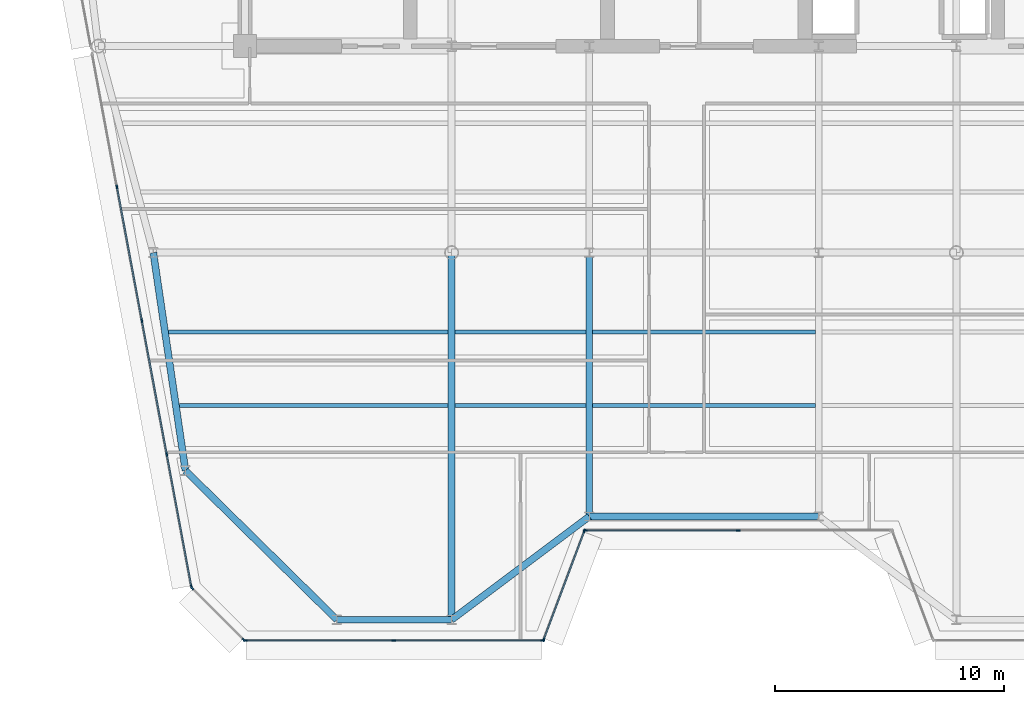
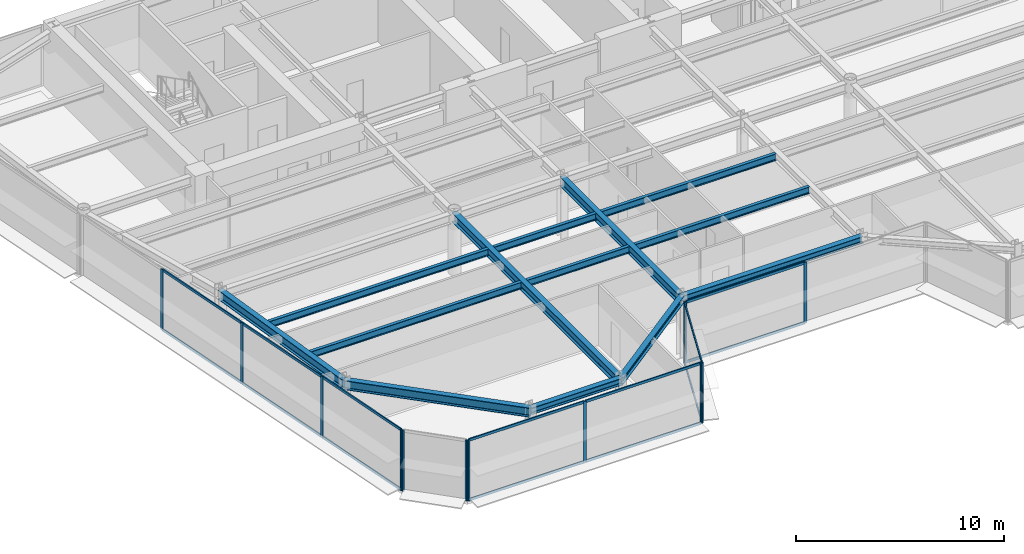
# One storey, part 3 of 18: 27 members, 13 beams, 5 elements without a shape of their own.
"""IFC4 building model written with IfcOpenShell, lengths in metres."""

from ifc_helpers import new_model, si_unit, direction, frame, origin, origin_2d, place, context, subcontext, project, spatial, rectangle, i_section, extrude, source, transform, mapped, material, layer, layer_set, material_profile, profile_set, type_object, element, aggregate, save


model = new_model("IFC4")

# Units and contexts
model_context = context("Model", 3, precision=1e-05, world=origin(), true_north=direction((0.0, 1.0)))
body_context = subcontext(model_context, "Body", "Model", "MODEL_VIEW")
ifc_project = project(units=[si_unit("LENGTHUNIT", "METRE"), si_unit("AREAUNIT", "SQUARE_METRE"), si_unit("VOLUMEUNIT", "CUBIC_METRE"), si_unit("PLANEANGLEUNIT", "RADIAN"), si_unit("MASSUNIT", "GRAM", prefix="KILO")], contexts=[model_context])

# Site, building, storey
site_placement = place(None, origin())
site = spatial("IfcSite", under=ifc_project, at=site_placement, CompositionType="ELEMENT")
building_placement = place(site_placement, origin())
building = spatial("IfcBuilding", under=site, at=building_placement, Name="Vaeldorn Concourse Tower", CompositionType="ELEMENT")
storey_placement = place(building_placement, frame((0.0, 0.0, 242.199951171875)))
storey = spatial("IfcBuildingStorey", under=building, at=storey_placement, Name="L62", CompositionType="ELEMENT", Elevation=242.199951171875)

# Beams
ifc_material_1 = material(Name="Steel S355", Category="steel")
ifc_material_profile_1 = material_profile(ifc_material_1, i_section(OverallWidth=0.300048828125, OverallDepth=0.39990234375, WebThickness=0.013427734375, FlangeThickness=0.02392578125, FilletRadius=0.027099609375, at=origin_2d()), Name="HEB 400")
ifc_profile_set_1 = profile_set([ifc_material_profile_1], Name="Steel S355")
beam_type_1 = type_object("IfcBeamType", Name="BM-SP-HEB400", PredefinedType="SPANDREL", material=ifc_profile_set_1)
shared_shape_1 = source(origin(), body_context, "Body", "SweptSolid", [
    extrude(i_section(OverallWidth=0.300048828125, OverallDepth=0.39990234375, WebThickness=0.013427734375, FlangeThickness=0.02392578125, FilletRadius=0.027099609375, at=origin_2d()), origin(), (0.0, 0.0, 1.0), 5.0),
])
beam_1_placement = place(storey_placement, frame((18.0, 11.5, 3.380126953125), z_axis=(1.0, 0.0, 0.0), x_axis=(0.0, 1.0, 0.0)))
element("IfcBeam", 1, at=beam_1_placement, inside=storey, type_object=beam_type_1, Name="Beam BM-L62-C-SF1-C-SF2", PredefinedType="SPANDREL", context=body_context, shape_type="MappedRepresentation", body=[
    mapped(shared_shape_1, transform((0.0, 0.0, 0.0), scale=1.0)),
])
shared_shape_2 = source(origin(), body_context, "Body", "SweptSolid", [
    extrude(i_section(OverallWidth=0.300048828125, OverallDepth=0.39990234375, WebThickness=0.013427734375, FlangeThickness=0.02392578125, FilletRadius=0.027099609375, at=origin_2d()), origin(), (0.0, 0.0, 1.0), 7.5),
])
beam_2_placement = place(storey_placement, frame((23.0, 11.5, 3.380126953125), z_axis=(0.8, 0.6, 0.0), x_axis=(-0.6, 0.8, 0.0)))
element("IfcBeam", 2, at=beam_2_placement, inside=storey, type_object=beam_type_1, Name="Beam BM-L62-C-SF2-C-SF3", PredefinedType="SPANDREL", context=body_context, shape_type="MappedRepresentation", body=[
    mapped(shared_shape_2, transform((0.0, 0.0, 0.0), scale=1.0)),
])
shared_shape_3 = source(origin(), body_context, "Body", "SweptSolid", [
    extrude(i_section(OverallWidth=0.300048828125, OverallDepth=0.39990234375, WebThickness=0.013427734375, FlangeThickness=0.02392578125, FilletRadius=0.027099609375, at=origin_2d()), origin(), (0.0, 0.0, 1.0), 10.0),
])
beam_3_placement = place(storey_placement, frame((29.0, 16.0, 3.380126953125), z_axis=(1.0, 0.0, 0.0), x_axis=(0.0, 1.0, 0.0)))
element("IfcBeam", 3, at=beam_3_placement, inside=storey, type_object=beam_type_1, Name="Beam BM-L62-C-SF3-C-SF4", PredefinedType="SPANDREL", context=body_context, shape_type="MappedRepresentation", body=[
    mapped(shared_shape_3, transform((0.0, 0.0, 0.0), scale=1.0)),
])
ifc_material_profile_2 = material_profile(ifc_material_1, i_section(OverallWidth=0.179931640625, OverallDepth=0.39990234375, WebThickness=0.008544921875, FlangeThickness=0.013427734375, FilletRadius=0.02099609375, at=origin_2d()), Name="IPE 400")
ifc_profile_set_2 = profile_set([ifc_material_profile_2], Name="Steel S355")
beam_type_2 = type_object("IfcBeamType", Name="BM-JS-IPE400", PredefinedType="JOIST", material=ifc_profile_set_2)
shared_shape_4 = source(origin(), body_context, "Body", "SweptSolid", [
    extrude(i_section(OverallWidth=0.179931640625, OverallDepth=0.39990234375, WebThickness=0.008544921875, FlangeThickness=0.013427734375, FilletRadius=0.02099609375, at=origin_2d()), origin(), (0.0, 0.0, 1.0), 5.7001953125),
])
for number, where, z_axis, x_axis, name in (
    (4, (23.14990234375, 20.840087890625, 3.380126953125), (1.0, 0.0, 0.0), (0.0, 1.0, 0.0), "Beam JS-L62-W2-208"),
    (5, (23.14990234375, 24.0400390625, 3.380126953125), (1.0, 0.0, 0.0), (0.0, 1.0, 0.0), "Beam JS-L62-W2-240"),
):
    element("IfcBeam", number, at=place(storey_placement, frame(where, z_axis=z_axis, x_axis=x_axis)), inside=storey, type_object=beam_type_2, Name=name, PredefinedType="JOIST", context=body_context, shape_type="MappedRepresentation", body=[
        mapped(shared_shape_4, transform((0.0, 0.0, 0.0), scale=1.0)),
    ])
shared_shape_5 = source(origin(), body_context, "Body", "SweptSolid", [
    extrude(i_section(OverallWidth=0.179931640625, OverallDepth=0.39990234375, WebThickness=0.008544921875, FlangeThickness=0.013427734375, FilletRadius=0.02099609375, at=origin_2d()), origin(), (0.0, 0.0, 1.0), 9.7001953125),
])
for number, where, z_axis, x_axis, name in (
    (6, (29.14990234375, 20.840087890625, 3.380126953125), (1.0, 0.0, 0.0), (0.0, 1.0, 0.0), "Beam JS-L62-C-208"),
    (7, (29.14990234375, 24.0400390625, 3.380126953125), (1.0, 0.0, 0.0), (0.0, 1.0, 0.0), "Beam JS-L62-C-240"),
):
    element("IfcBeam", number, at=place(storey_placement, frame(where, z_axis=z_axis, x_axis=x_axis)), inside=storey, type_object=beam_type_2, Name=name, PredefinedType="JOIST", context=body_context, shape_type="MappedRepresentation", body=[
        mapped(shared_shape_5, transform((0.0, 0.0, 0.0), scale=1.0)),
    ])
shared_shape_6 = source(origin(), body_context, "Body", "SweptSolid", [
    extrude(i_section(OverallWidth=0.179931640625, OverallDepth=0.39990234375, WebThickness=0.008544921875, FlangeThickness=0.013427734375, FilletRadius=0.02099609375, at=origin_2d()), origin(), (0.0, 0.0, 1.0), 11.718505859375),
])
beam_4_placement = place(storey_placement, frame((11.131591796875, 20.840087890625, 3.380126953125), z_axis=(1.0, 0.0, 0.0), x_axis=(0.0, 1.0, 0.0)))
element("IfcBeam", 8, at=beam_4_placement, inside=storey, type_object=beam_type_2, Name="Beam JS-L62-W1-208", PredefinedType="JOIST", context=body_context, shape_type="MappedRepresentation", body=[
    mapped(shared_shape_6, transform((0.0, 0.0, 0.0), scale=1.0)),
])
shared_shape_7 = source(origin(), body_context, "Body", "SweptSolid", [
    extrude(i_section(OverallWidth=0.179931640625, OverallDepth=0.39990234375, WebThickness=0.008544921875, FlangeThickness=0.013427734375, FilletRadius=0.02099609375, at=origin_2d()), origin(), (0.0, 0.0, 1.0), 12.190185546875),
])
beam_5_placement = place(storey_placement, frame((10.659912109375, 24.0400390625, 3.380126953125), z_axis=(1.0, 0.0, 0.0), x_axis=(0.0, 1.0, 0.0)))
element("IfcBeam", 9, at=beam_5_placement, inside=storey, type_object=beam_type_2, Name="Beam JS-L62-W1-240", PredefinedType="JOIST", context=body_context, shape_type="MappedRepresentation", body=[
    mapped(shared_shape_7, transform((0.0, 0.0, 0.0), scale=1.0)),
])
ifc_material_profile_3 = material_profile(ifc_material_1, i_section(OverallWidth=0.300048828125, OverallDepth=0.550048828125, WebThickness=0.014892578125, FlangeThickness=0.029052734375, FilletRadius=0.027099609375, at=origin_2d()), Name="HEB 550")
ifc_profile_set_3 = profile_set([ifc_material_profile_3], Name="Steel S355")
beam_type_3 = type_object("IfcBeamType", Name="BM-PG-HEB550", PredefinedType="BEAM", material=ifc_profile_set_3)
shared_shape_8 = source(origin(), body_context, "Body", "SweptSolid", [
    extrude(i_section(OverallWidth=0.300048828125, OverallDepth=0.550048828125, WebThickness=0.014892578125, FlangeThickness=0.029052734375, FilletRadius=0.027099609375, at=origin_2d()), origin(), (0.0, 0.0, 1.0), 9.6025390625),
])
beam_6_placement = place(storey_placement, frame((10.0, 27.5, 3.304931640625), z_axis=(0.145783835977, -0.989316467652, 0.0), x_axis=(0.989316467652, 0.145783835977, 0.0)))
element("IfcBeam", 10, at=beam_6_placement, inside=storey, type_object=beam_type_3, Name="Beam BM-L62-C-FLW1-C-FLW2", PredefinedType="BEAM", context=body_context, shape_type="MappedRepresentation", body=[
    mapped(shared_shape_8, transform((0.0, 0.0, 0.0), scale=1.0)),
])
shared_shape_9 = source(origin(), body_context, "Body", "SweptSolid", [
    extrude(i_section(OverallWidth=0.300048828125, OverallDepth=0.550048828125, WebThickness=0.014892578125, FlangeThickness=0.029052734375, FilletRadius=0.027099609375, at=origin_2d()), origin(), (0.0, 0.0, 1.0), 9.263427734375),
])
beam_7_placement = place(storey_placement, frame((18.0, 11.5, 3.304931640625), z_axis=(-0.71248897494, 0.701683305053, 0.0), x_axis=(-0.701683305053, -0.71248897494, 0.0)))
element("IfcBeam", 11, at=beam_7_placement, inside=storey, type_object=beam_type_3, Name="Beam BM-L62-C-SF1-C-FLW2", PredefinedType="BEAM", context=body_context, shape_type="MappedRepresentation", body=[
    mapped(shared_shape_9, transform((0.0, 0.0, 0.0), scale=1.0)),
])
shared_shape_10 = source(origin(), body_context, "Body", "SweptSolid", [
    extrude(i_section(OverallWidth=0.300048828125, OverallDepth=0.550048828125, WebThickness=0.014892578125, FlangeThickness=0.029052734375, FilletRadius=0.027099609375, at=origin_2d()), origin(), (0.0, 0.0, 1.0), 16.0),
])
beam_8_placement = place(storey_placement, frame((23.0, 11.5, 3.304931640625), z_axis=(0.0, 1.0, 0.0), x_axis=(-1.0, 0.0, 0.0)))
element("IfcBeam", 12, at=beam_8_placement, inside=storey, type_object=beam_type_3, Name="Beam BM-L62-C-SF2-C-TW1", PredefinedType="BEAM", context=body_context, shape_type="MappedRepresentation", body=[
    mapped(shared_shape_10, transform((0.0, 0.0, 0.0), scale=1.0)),
])
shared_shape_11 = source(origin(), body_context, "Body", "SweptSolid", [
    extrude(i_section(OverallWidth=0.300048828125, OverallDepth=0.550048828125, WebThickness=0.014892578125, FlangeThickness=0.029052734375, FilletRadius=0.027099609375, at=origin_2d()), origin(), (0.0, 0.0, 1.0), 11.5),
])
beam_9_placement = place(storey_placement, frame((29.0, 16.0, 3.304931640625), z_axis=(0.0, 1.0, 0.0), x_axis=(-1.0, 0.0, 0.0)))
element("IfcBeam", 13, at=beam_9_placement, inside=storey, type_object=beam_type_3, Name="Beam BM-L62-C-SF3-C-TW2", PredefinedType="BEAM", context=body_context, shape_type="MappedRepresentation", body=[
    mapped(shared_shape_11, transform((0.0, 0.0, 0.0), scale=1.0)),
])

# Curtain wall, members
ifc_material_2 = material(Name="Anodised Bronze Aluminium", Category="aluminium")
ifc_layer = layer(ifc_material_2, 0.179931640625)
ifc_layer_set = layer_set([ifc_layer], Name="Anodised Bronze Aluminium")
curtain_wall_type = type_object("IfcCurtainWallType", Name="CW-SYS-05", PredefinedType="NOTDEFINED", material=ifc_layer_set)
curtain_wall_1_placement = place(storey_placement, origin())
curtain_wall_1 = element("IfcCurtainWall", 14, at=curtain_wall_1_placement, inside=storey, type_object=curtain_wall_type, Name="Unitised Curtain Wall CW-L62-E02-1", PredefinedType="NOTDEFINED")
ifc_material_profile_4 = material_profile(ifc_material_2, rectangle(XDim=0.06494140625, YDim=0.14990234375, at=origin_2d()), Name="CWT 65x150")
ifc_profile_set_4 = profile_set([ifc_material_profile_4], Name="Anodised Bronze Aluminium")
member_type_1 = type_object("IfcMemberType", Name="CWT-BRONZE-150", PredefinedType="USERDEFINED", material=ifc_profile_set_4)
shared_shape_12 = source(origin(), body_context, "Body", "SweptSolid", [
    extrude(rectangle(XDim=0.06494140625, YDim=0.14990234375, at=origin_2d()), origin(), (0.0, 0.0, 1.0), 4.996337890625),
])
member_1_placement = place(storey_placement, frame((27.022705078125, 10.660888671875, 0.032470703125), z_axis=(0.351134151405, 0.936325161318, 0.0), x_axis=(-0.936325161318, 0.351134151405, 0.0)))
member_1 = element("IfcMember", 15, at=member_1_placement, type_object=member_type_1, Name="CW-05 transom 1.1", ObjectType="TRANSOM", PredefinedType="USERDEFINED", context=body_context, shape_type="MappedRepresentation", body=[
    mapped(shared_shape_12, transform((0.0, 0.0, 0.0), scale=1.0)),
])
member_2_placement = place(storey_placement, frame((27.022705078125, 10.660888671875, 3.547607421875), z_axis=(0.351134151405, 0.936325161318, 0.0), x_axis=(-0.936325161318, 0.351134151405, 0.0)))
member_2 = element("IfcMember", 16, at=member_2_placement, type_object=member_type_1, Name="CW-05 transom 1.2", ObjectType="TRANSOM", PredefinedType="USERDEFINED", context=body_context, shape_type="MappedRepresentation", body=[
    mapped(shared_shape_12, transform((0.0, 0.0, 0.0), scale=1.0)),
])

curtain_wall_2_placement = place(storey_placement, origin())
curtain_wall_2 = element("IfcCurtainWall", 17, at=curtain_wall_2_placement, inside=storey, type_object=curtain_wall_type, Name="Unitised Curtain Wall CW-L62-E03-1", PredefinedType="NOTDEFINED")
shared_shape_13 = source(origin(), body_context, "Body", "SweptSolid", [
    extrude(rectangle(XDim=0.06494140625, YDim=0.14990234375, at=origin_2d()), origin(), (0.0, 0.0, 1.0), 6.6025390625),
])
member_3_placement = place(storey_placement, frame((28.864990234375, 15.39990234375, 0.032470703125), z_axis=(1.0, 0.0, 0.0), x_axis=(0.0, 1.0, 0.0)))
member_3 = element("IfcMember", 18, at=member_3_placement, type_object=member_type_1, Name="CW-05 transom 1.1", ObjectType="TRANSOM", PredefinedType="USERDEFINED", context=body_context, shape_type="MappedRepresentation", body=[
    mapped(shared_shape_13, transform((0.0, 0.0, 0.0), scale=1.0)),
])
member_4_placement = place(storey_placement, frame((28.864990234375, 15.39990234375, 3.547607421875), z_axis=(1.0, 0.0, 0.0), x_axis=(0.0, 1.0, 0.0)))
member_4 = element("IfcMember", 19, at=member_4_placement, type_object=member_type_1, Name="CW-05 transom 1.2", ObjectType="TRANSOM", PredefinedType="USERDEFINED", context=body_context, shape_type="MappedRepresentation", body=[
    mapped(shared_shape_13, transform((0.0, 0.0, 0.0), scale=1.0)),
])

curtain_wall_3_placement = place(storey_placement, origin())
curtain_wall_3 = element("IfcCurtainWall", 20, at=curtain_wall_3_placement, inside=storey, type_object=curtain_wall_type, Name="Unitised Curtain Wall CW-L62-E01-1", PredefinedType="NOTDEFINED")
ifc_material_profile_5 = material_profile(ifc_material_2, rectangle(XDim=0.06494140625, YDim=0.169921875, at=origin_2d()), Name="CWM 65x170")
ifc_profile_set_5 = profile_set([ifc_material_profile_5], Name="Anodised Bronze Aluminium")
member_type_2 = type_object("IfcMemberType", Name="CWM-BRONZE-170", PredefinedType="MULLION", material=ifc_profile_set_5)
shared_shape_14 = source(origin(), body_context, "Body", "SweptSolid", [
    extrude(rectangle(XDim=0.06494140625, YDim=0.169921875, at=origin_2d()), origin(), (0.0, 0.0, 1.0), 3.580078125),
])
member_5_placement = place(storey_placement, frame((13.99853515625, 10.60009765625, 0.0), z_axis=(0.0, 0.0, 1.0), x_axis=(0.0, 1.0, 0.0)))
member_5 = element("IfcMember", 21, at=member_5_placement, type_object=member_type_2, Name="CW-05 mullion 1", PredefinedType="MULLION", context=body_context, shape_type="MappedRepresentation", body=[
    mapped(shared_shape_14, transform((0.0, 0.0, 0.0), scale=1.0)),
])
member_6_placement = place(storey_placement, frame((20.48291015625, 10.60009765625, 0.0), z_axis=(0.0, 0.0, 1.0), x_axis=(0.0, 1.0, 0.0)))
member_6 = element("IfcMember", 22, at=member_6_placement, type_object=member_type_2, Name="CW-05 mullion 2", PredefinedType="MULLION", context=body_context, shape_type="MappedRepresentation", body=[
    mapped(shared_shape_14, transform((0.0, 0.0, 0.0), scale=1.0)),
])
member_7_placement = place(storey_placement, frame((26.967529296875, 10.60009765625, 0.0), z_axis=(0.0, 0.0, 1.0), x_axis=(0.0, 1.0, 0.0)))
member_7 = element("IfcMember", 23, at=member_7_placement, type_object=member_type_2, Name="CW-05 mullion 3", PredefinedType="MULLION", context=body_context, shape_type="MappedRepresentation", body=[
    mapped(shared_shape_14, transform((0.0, 0.0, 0.0), scale=1.0)),
])

# Member
member_8_placement = place(storey_placement, frame((27.011474609375, 10.63037109375, 0.0), z_axis=(0.0, 0.0, 1.0), x_axis=(-0.936329177566, 0.351123441595, 0.0)))
member_8 = element("IfcMember", 24, at=member_8_placement, type_object=member_type_2, Name="CW-05 mullion 1", PredefinedType="MULLION", context=body_context, shape_type="MappedRepresentation", body=[
    mapped(shared_shape_14, transform((0.0, 0.0, 0.0), scale=1.0)),
])

member_9_placement = place(storey_placement, frame((28.78857421875, 15.36962890625, 0.0), z_axis=(0.0, 0.0, 1.0), x_axis=(-0.936329177566, 0.351123441595, 0.0)))
member_9 = element("IfcMember", 25, at=member_9_placement, type_object=member_type_2, Name="CW-05 mullion 2", PredefinedType="MULLION", context=body_context, shape_type="MappedRepresentation", body=[
    mapped(shared_shape_14, transform((0.0, 0.0, 0.0), scale=1.0)),
])

aggregate(curtain_wall_1, [member_8, member_9, member_1, member_2])

member_10_placement = place(storey_placement, frame((28.83251953125, 15.39990234375, 0.0), z_axis=(0.0, 0.0, 1.0), x_axis=(0.0, 1.0, 0.0)))
member_10 = element("IfcMember", 26, at=member_10_placement, type_object=member_type_2, Name="CW-05 mullion 1", PredefinedType="MULLION", context=body_context, shape_type="MappedRepresentation", body=[
    mapped(shared_shape_14, transform((0.0, 0.0, 0.0), scale=1.0)),
])

member_11_placement = place(storey_placement, frame((35.5, 15.39990234375, 0.0), z_axis=(0.0, 0.0, 1.0), x_axis=(0.0, 1.0, 0.0)))
member_11 = element("IfcMember", 27, at=member_11_placement, type_object=member_type_2, Name="CW-05 mullion 2", PredefinedType="MULLION", context=body_context, shape_type="MappedRepresentation", body=[
    mapped(shared_shape_14, transform((0.0, 0.0, 0.0), scale=1.0)),
])

aggregate(curtain_wall_2, [member_10, member_11, member_3, member_4])

# Curtain wall, members
curtain_wall_4_placement = place(storey_placement, origin())
curtain_wall_4 = element("IfcCurtainWall", 28, at=curtain_wall_4_placement, inside=storey, type_object=curtain_wall_type, Name="Unitised Curtain Wall CW-L62-E11-2", PredefinedType="NOTDEFINED")
member_12_placement = place(storey_placement, frame((8.414306640625, 30.36376953125, 0.0), z_axis=(0.0, 0.0, 1.0), x_axis=(0.983102653673, 0.18305510739, 0.0)))
member_12 = element("IfcMember", 29, at=member_12_placement, type_object=member_type_2, Name="CW-05 mullion 2", PredefinedType="MULLION", context=body_context, shape_type="MappedRepresentation", body=[
    mapped(shared_shape_14, transform((0.0, 0.0, 0.0), scale=1.0)),
])
member_13_placement = place(storey_placement, frame((9.498046875, 24.54248046875, 0.0), z_axis=(0.0, 0.0, 1.0), x_axis=(0.983102653673, 0.18305510739, 0.0)))
member_13 = element("IfcMember", 30, at=member_13_placement, type_object=member_type_2, Name="CW-05 mullion 3", PredefinedType="MULLION", context=body_context, shape_type="MappedRepresentation", body=[
    mapped(shared_shape_14, transform((0.0, 0.0, 0.0), scale=1.0)),
])
member_14_placement = place(storey_placement, frame((10.58203125, 18.72119140625, 0.0), z_axis=(0.0, 0.0, 1.0), x_axis=(0.983102653673, 0.18305510739, 0.0)))
member_14 = element("IfcMember", 31, at=member_14_placement, type_object=member_type_2, Name="CW-05 mullion 4", PredefinedType="MULLION", context=body_context, shape_type="MappedRepresentation", body=[
    mapped(shared_shape_14, transform((0.0, 0.0, 0.0), scale=1.0)),
])
member_15_placement = place(storey_placement, frame((11.66015625, 12.931884765625, 0.0), z_axis=(0.0, 0.0, 1.0), x_axis=(0.983102653673, 0.18305510739, 0.0)))
member_15 = element("IfcMember", 32, at=member_15_placement, type_object=member_type_2, Name="CW-05 mullion 5", PredefinedType="MULLION", context=body_context, shape_type="MappedRepresentation", body=[
    mapped(shared_shape_14, transform((0.0, 0.0, 0.0), scale=1.0)),
])

curtain_wall_5_placement = place(storey_placement, origin())
curtain_wall_5 = element("IfcCurtainWall", 33, at=curtain_wall_5_placement, inside=storey, type_object=curtain_wall_type, Name="Unitised Curtain Wall CW-L62-E12-1", PredefinedType="NOTDEFINED")
member_16_placement = place(storey_placement, frame((11.68896484375, 12.876953125, 0.0), z_axis=(0.0, 0.0, 1.0), x_axis=(0.707106781187, 0.707106781187, 0.0)))
member_16 = element("IfcMember", 34, at=member_16_placement, type_object=member_type_2, Name="CW-05 mullion 1", PredefinedType="MULLION", context=body_context, shape_type="MappedRepresentation", body=[
    mapped(shared_shape_14, transform((0.0, 0.0, 0.0), scale=1.0)),
])
member_17_placement = place(storey_placement, frame((13.943115234375, 10.623046875, 0.0), z_axis=(0.0, 0.0, 1.0), x_axis=(0.707106781187, 0.707106781187, 0.0)))
member_17 = element("IfcMember", 35, at=member_17_placement, type_object=member_type_2, Name="CW-05 mullion 2", PredefinedType="MULLION", context=body_context, shape_type="MappedRepresentation", body=[
    mapped(shared_shape_14, transform((0.0, 0.0, 0.0), scale=1.0)),
])
aggregate(curtain_wall_5, [member_16, member_17])

# Member
shared_shape_15 = source(origin(), body_context, "Body", "SweptSolid", [
    extrude(rectangle(XDim=0.06494140625, YDim=0.14990234375, at=origin_2d()), origin(), (0.0, 0.0, 1.0), 5.82373046875),
])
member_18_placement = place(storey_placement, frame((10.588134765625, 18.689208984375, 0.032470703125), z_axis=(0.183030414843, -0.983107251139, 0.0), x_axis=(0.983107251139, 0.183030414843, 0.0)))
member_18 = element("IfcMember", 36, at=member_18_placement, type_object=member_type_1, Name="CW-05 transom 4.1", ObjectType="TRANSOM", PredefinedType="USERDEFINED", context=body_context, shape_type="MappedRepresentation", body=[
    mapped(shared_shape_15, transform((0.0, 0.0, 0.0), scale=1.0)),
])

member_19_placement = place(storey_placement, frame((10.588134765625, 18.689208984375, 3.547607421875), z_axis=(0.183030414843, -0.983107251139, 0.0), x_axis=(0.983107251139, 0.183030414843, 0.0)))
member_19 = element("IfcMember", 37, at=member_19_placement, type_object=member_type_1, Name="CW-05 transom 4.2", ObjectType="TRANSOM", PredefinedType="USERDEFINED", context=body_context, shape_type="MappedRepresentation", body=[
    mapped(shared_shape_15, transform((0.0, 0.0, 0.0), scale=1.0)),
])

shared_shape_16 = source(origin(), body_context, "Body", "SweptSolid", [
    extrude(rectangle(XDim=0.06494140625, YDim=0.14990234375, at=origin_2d()), origin(), (0.0, 0.0, 1.0), 5.856201171875),
])
member_20_placement = place(storey_placement, frame((8.420166015625, 30.331787109375, 0.032470703125), z_axis=(0.18305503402, -0.983102667334, 0.0), x_axis=(0.983102667334, 0.18305503402, 0.0)))
member_20 = element("IfcMember", 38, at=member_20_placement, type_object=member_type_1, Name="CW-05 transom 2.1", ObjectType="TRANSOM", PredefinedType="USERDEFINED", context=body_context, shape_type="MappedRepresentation", body=[
    mapped(shared_shape_16, transform((0.0, 0.0, 0.0), scale=1.0)),
])

member_21_placement = place(storey_placement, frame((8.420166015625, 30.331787109375, 3.547607421875), z_axis=(0.18305503402, -0.983102667334, 0.0), x_axis=(0.983102667334, 0.18305503402, 0.0)))
member_21 = element("IfcMember", 39, at=member_21_placement, type_object=member_type_1, Name="CW-05 transom 2.2", ObjectType="TRANSOM", PredefinedType="USERDEFINED", context=body_context, shape_type="MappedRepresentation", body=[
    mapped(shared_shape_16, transform((0.0, 0.0, 0.0), scale=1.0)),
])

member_22_placement = place(storey_placement, frame((9.504150390625, 24.510498046875, 0.032470703125), z_axis=(0.18305503402, -0.983102667334, 0.0), x_axis=(0.983102667334, 0.18305503402, 0.0)))
member_22 = element("IfcMember", 40, at=member_22_placement, type_object=member_type_1, Name="CW-05 transom 3.1", ObjectType="TRANSOM", PredefinedType="USERDEFINED", context=body_context, shape_type="MappedRepresentation", body=[
    mapped(shared_shape_16, transform((0.0, 0.0, 0.0), scale=1.0)),
])

member_23_placement = place(storey_placement, frame((9.504150390625, 24.510498046875, 3.547607421875), z_axis=(0.18305503402, -0.983102667334, 0.0), x_axis=(0.983102667334, 0.18305503402, 0.0)))
member_23 = element("IfcMember", 41, at=member_23_placement, type_object=member_type_1, Name="CW-05 transom 3.2", ObjectType="TRANSOM", PredefinedType="USERDEFINED", context=body_context, shape_type="MappedRepresentation", body=[
    mapped(shared_shape_16, transform((0.0, 0.0, 0.0), scale=1.0)),
])

aggregate(curtain_wall_4, [member_12, member_13, member_14, member_15, member_20, member_21, member_22, member_23, member_18, member_19])

shared_shape_17 = source(origin(), body_context, "Body", "SweptSolid", [
    extrude(rectangle(XDim=0.06494140625, YDim=0.14990234375, at=origin_2d()), origin(), (0.0, 0.0, 1.0), 6.41943359375),
])
member_24_placement = place(storey_placement, frame((14.031005859375, 10.60009765625, 0.032470703125), z_axis=(1.0, 0.0, 0.0), x_axis=(0.0, 1.0, 0.0)))
member_24 = element("IfcMember", 42, at=member_24_placement, type_object=member_type_1, Name="CW-05 transom 1.1", ObjectType="TRANSOM", PredefinedType="USERDEFINED", context=body_context, shape_type="MappedRepresentation", body=[
    mapped(shared_shape_17, transform((0.0, 0.0, 0.0), scale=1.0)),
])

member_25_placement = place(storey_placement, frame((14.031005859375, 10.60009765625, 3.547607421875), z_axis=(1.0, 0.0, 0.0), x_axis=(0.0, 1.0, 0.0)))
member_25 = element("IfcMember", 43, at=member_25_placement, type_object=member_type_1, Name="CW-05 transom 1.2", ObjectType="TRANSOM", PredefinedType="USERDEFINED", context=body_context, shape_type="MappedRepresentation", body=[
    mapped(shared_shape_17, transform((0.0, 0.0, 0.0), scale=1.0)),
])

shared_shape_18 = source(origin(), body_context, "Body", "SweptSolid", [
    extrude(rectangle(XDim=0.06494140625, YDim=0.14990234375, at=origin_2d()), origin(), (0.0, 0.0, 1.0), 6.419677734375),
])
member_26_placement = place(storey_placement, frame((20.515380859375, 10.60009765625, 0.032470703125), z_axis=(1.0, 0.0, 0.0), x_axis=(0.0, 1.0, 0.0)))
member_26 = element("IfcMember", 44, at=member_26_placement, type_object=member_type_1, Name="CW-05 transom 2.1", ObjectType="TRANSOM", PredefinedType="USERDEFINED", context=body_context, shape_type="MappedRepresentation", body=[
    mapped(shared_shape_18, transform((0.0, 0.0, 0.0), scale=1.0)),
])

member_27_placement = place(storey_placement, frame((20.515380859375, 10.60009765625, 3.547607421875), z_axis=(1.0, 0.0, 0.0), x_axis=(0.0, 1.0, 0.0)))
member_27 = element("IfcMember", 45, at=member_27_placement, type_object=member_type_1, Name="CW-05 transom 2.2", ObjectType="TRANSOM", PredefinedType="USERDEFINED", context=body_context, shape_type="MappedRepresentation", body=[
    mapped(shared_shape_18, transform((0.0, 0.0, 0.0), scale=1.0)),
])

aggregate(curtain_wall_3, [member_5, member_6, member_7, member_24, member_25, member_26, member_27])

save(model, "model.ifc")
